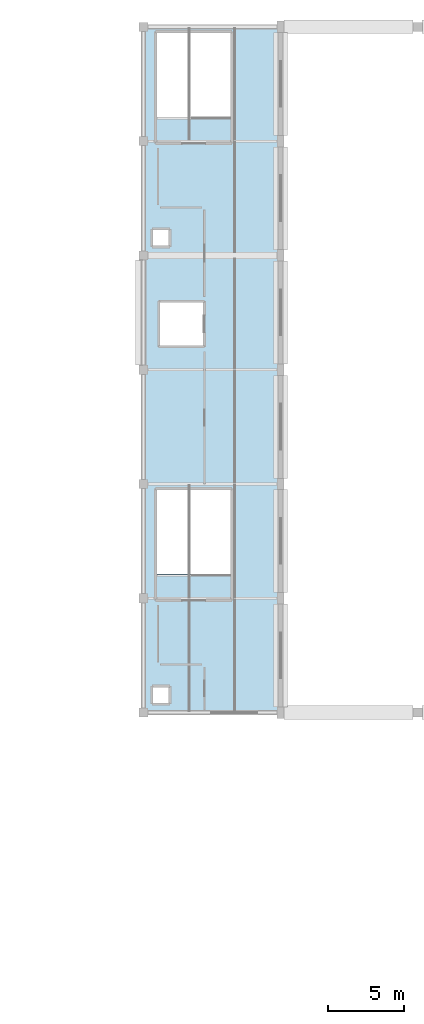
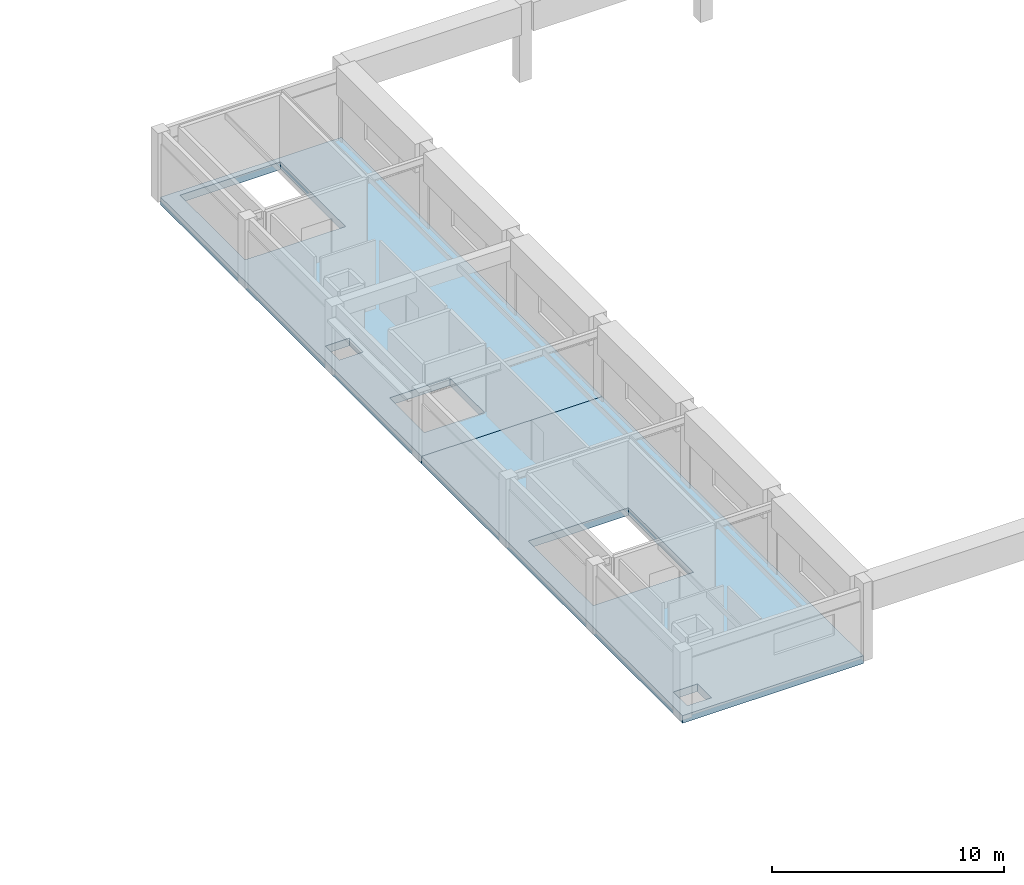
# One storey, part 57 of 76: 2 slabs.
"""IFC4 building model written with IfcOpenShell, lengths in metres."""

from ifc_helpers import new_model, si_unit, direction, frame, origin, place, context, subcontext, project, spatial, polyline, outline, extrude, material, layer, layer_set, type_object, element, save


model = new_model("IFC4")

# Units and contexts
model_context = context("Model", 3, precision=1e-05, world=origin(), true_north=direction((0.0, 1.0)))
body_context = subcontext(model_context, "Body", "Model", "MODEL_VIEW")
ifc_project = project(units=[si_unit("LENGTHUNIT", "METRE"), si_unit("AREAUNIT", "SQUARE_METRE"), si_unit("VOLUMEUNIT", "CUBIC_METRE"), si_unit("PLANEANGLEUNIT", "RADIAN"), si_unit("MASSUNIT", "GRAM", prefix="KILO")], contexts=[model_context])

# Site, building, storey
site_placement = place(None, origin())
site = spatial("IfcSite", under=ifc_project, at=site_placement, CompositionType="ELEMENT")
building_placement = place(site_placement, origin())
building = spatial("IfcBuilding", under=site, at=building_placement, Name="Marnridge Secondary College", CompositionType="ELEMENT")
storey_placement = place(building_placement, frame((0.0, 0.0, 4.5)))
storey = spatial("IfcBuildingStorey", under=building, at=storey_placement, Name="L01", CompositionType="ELEMENT", Elevation=4.5)

# Slabs
ifc_material = material(Name="Concrete C40/50 (AS 3600 N40, 40 MPa)", Category="concrete")
ifc_layer = layer(ifc_material, 0.39990234375)
ifc_layer_set = layer_set([ifc_layer], Name="SL-TRANS-400")
slab_type = type_object("IfcSlabType", Name="SL-TRANS-400", PredefinedType="FLOOR", material=ifc_layer_set)
slab_1_placement = place(storey_placement, frame((0.0, 0.0, -0.39990234375)))
element("IfcSlab", 1, at=slab_1_placement, inside=storey, type_object=slab_type, Name="Floor slab SL-L01-014", PredefinedType="FLOOR", context=body_context, shape_type="SweptSolid", body=[
    extrude(outline(polyline([(135.0, 75.0), (126.0, 75.0), (126.0, 97.5), (135.0, 97.5), (135.0, 75.0)]), holes=[polyline([(126.800048828125, 84.10009765625), (131.800048828125, 84.10009765625), (131.800048828125, 89.699951171875), (126.800048828125, 89.699951171875), (126.800048828125, 84.10009765625)]), polyline([(126.550048828125, 75.550048828125), (127.75, 75.550048828125), (127.75, 76.75), (126.550048828125, 76.75), (126.550048828125, 75.550048828125)])]), origin(), (0.0, 0.0, 1.0), 0.39990234375),
])
slab_2_placement = place(storey_placement, frame((0.0, 0.0, -0.39990234375)))
element("IfcSlab", 2, at=slab_2_placement, inside=storey, type_object=slab_type, Name="Floor slab SL-L01-015", PredefinedType="FLOOR", context=body_context, shape_type="SweptSolid", body=[
    extrude(outline(polyline([(135.0, 97.5), (126.0, 97.5), (126.0, 120.0), (135.0, 120.0), (135.0, 97.5)]), holes=[polyline([(126.800048828125, 114.10009765625), (131.800048828125, 114.10009765625), (131.800048828125, 119.699951171875), (126.800048828125, 119.699951171875), (126.800048828125, 114.10009765625)]), polyline([(127.0, 99.0), (130.0, 99.0), (130.0, 102.0), (127.0, 102.0), (127.0, 99.0)]), polyline([(126.550048828125, 105.550048828125), (127.75, 105.550048828125), (127.75, 106.75), (126.550048828125, 106.75), (126.550048828125, 105.550048828125)])]), origin(), (0.0, 0.0, 1.0), 0.39990234375),
])

save(model, "model.ifc")
